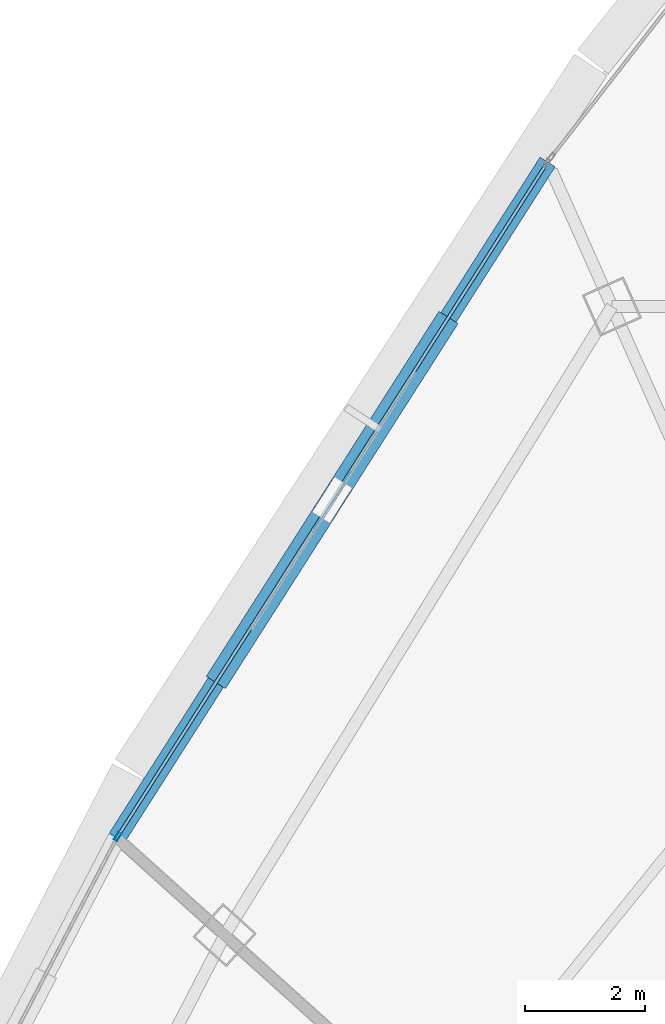
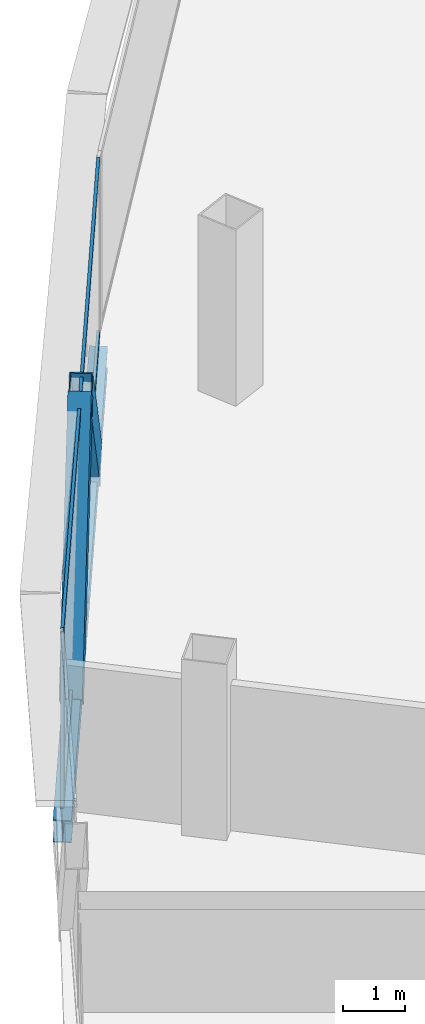
# One storey, part 20 of 40: 5 members, 1 beam, 1 element without a shape of its own.
"""IFC4 building model written with IfcOpenShell, lengths in metres."""

from ifc_helpers import new_model, si_unit, direction, frame, origin, origin_2d, place, context, subcontext, project, spatial, hollow_rectangle, i_section, extrude, source, transform, mapped, material, layer, layer_set, material_profile, profile_set, type_object, element, aggregate, save


model = new_model("IFC4")

# Units and contexts
model_context = context("Model", 3, precision=1e-05, world=origin(), true_north=direction((0.0, 1.0)))
body_context = subcontext(model_context, "Body", "Model", "MODEL_VIEW")
ifc_project = project(units=[si_unit("LENGTHUNIT", "METRE"), si_unit("AREAUNIT", "SQUARE_METRE"), si_unit("VOLUMEUNIT", "CUBIC_METRE"), si_unit("PLANEANGLEUNIT", "RADIAN"), si_unit("MASSUNIT", "GRAM", prefix="KILO"), si_unit("THERMODYNAMICTEMPERATUREUNIT", "KELVIN"), si_unit("POWERUNIT", "WATT")], contexts=[model_context])

# Site, building, storey
site_placement = place(None, origin())
site = spatial("IfcSite", under=ifc_project, at=site_placement, CompositionType="ELEMENT")
building_placement = place(site_placement, origin())
building = spatial("IfcBuilding", under=site, at=building_placement, Name="Yunzhuo Pagoda Commons", CompositionType="ELEMENT")
storey_placement = place(building_placement, frame((0.0, 0.0, 292.47998046875)))
storey = spatial("IfcBuildingStorey", under=building, at=storey_placement, Name="L73", CompositionType="ELEMENT", Elevation=292.47998046875)

# Beam
ifc_material_1 = material(Name="Structural steel Q355B", Category="steel")
ifc_material_profile_1 = material_profile(ifc_material_1, i_section(OverallWidth=0.300048828125, OverallDepth=0.43994140625, WebThickness=0.010986328125, FlangeThickness=0.01806640625, at=origin_2d()), Name="Structural steel Q355B")
ifc_profile_set_1 = profile_set([ifc_material_profile_1], Name="Structural steel Q355B")
beam_type = type_object("IfcBeamType", Name="B-SP2 Beam HM 440x300x11x18", PredefinedType="BEAM", material=ifc_profile_set_1)
shared_shape_1 = source(origin(), body_context, "Body", "SweptSolid", [
    extrude(i_section(OverallWidth=0.300048828125, OverallDepth=0.43994140625, WebThickness=0.010986328125, FlangeThickness=0.01806640625, at=origin_2d()), origin(), (0.0, 0.0, 1.0), 13.37060546875),
])
beam_placement = place(storey_placement, frame((34.8125, 63.319580078125, -0.47998046875), z_axis=(-0.537394066708, -0.843331261763, 0.0), x_axis=(0.843331261763, -0.537394066708, 0.0)))
element("IfcBeam", 1, at=beam_placement, inside=storey, type_object=beam_type, Name="L73 facade edge spandrel beam F3.1", PredefinedType="BEAM", context=body_context, shape_type="MappedRepresentation", body=[
    mapped(shared_shape_1, transform((0.0, 0.0, 0.0), scale=1.0)),
])

# Members
ifc_material_profile_2 = material_profile(ifc_material_1, hollow_rectangle(XDim=0.3798828125, YDim=0.719970703125, WallThickness=0.02001953125, at=origin_2d()), Name="Structural steel Q355B")
ifc_profile_set_2 = profile_set([ifc_material_profile_2], Name="Structural steel Q355B")
member_type_1 = type_object("IfcMemberType", Name="M-DL3 Brace BOX 720x380x20", PredefinedType="BRACE", material=ifc_profile_set_2)
shared_shape_2 = source(origin(), body_context, "Body", "SweptSolid", [
    extrude(hollow_rectangle(XDim=0.3798828125, YDim=0.719970703125, WallThickness=0.02001953125, at=origin_2d()), origin(), (0.0, 0.0, 1.0), 5.008544921875),
])
for number, where, z_axis, x_axis, name in (
    (2, (33.01611328125, 60.500732421875, -0.260009765625), (-0.358611081243, -0.562849280292, 0.744713891427), (0.843366631896, -0.537338556409, 0.0), "L73 facade diamond brace F3.1L"),
    (3, (29.423583984375, 54.86279296875, -0.260009765625), (0.358663395256, 0.562806137759, 0.744721303713), (-0.843312439259, 0.537423603678, 0.0), "L73 facade diamond brace F3.1R"),
):
    element("IfcMember", number, at=place(storey_placement, frame(where, z_axis=z_axis, x_axis=x_axis)), inside=storey, type_object=member_type_1, Name=name, PredefinedType="BRACE", context=body_context, shape_type="MappedRepresentation", body=[
        mapped(shared_shape_2, transform((0.0, 0.0, 0.0), scale=1.0)),
    ])

# Curtain wall, members
ifc_material_2 = material(Name="Anodized aluminium 6063-T6", Category="aluminium")
ifc_layer = layer(ifc_material_2, 0.139892578125)
ifc_layer_set = layer_set([ifc_layer], Name="Anodized aluminium 6063-T6")
curtain_wall_type = type_object("IfcCurtainWallType", Name="CW-HI High-Zone Ribbon Curtain Wall", PredefinedType="NOTDEFINED", material=ifc_layer_set)
curtain_wall_placement = place(storey_placement, origin())
curtain_wall = element("IfcCurtainWall", 4, at=curtain_wall_placement, inside=storey, type_object=curtain_wall_type, Name="L73 curtain wall CW-L73-F3B2", PredefinedType="NOTDEFINED")
ifc_material_profile_3 = material_profile(ifc_material_2, hollow_rectangle(XDim=0.06005859375, YDim=0.139892578125, WallThickness=0.00341796875, at=origin_2d()), Name="Anodized aluminium 6063-T6")
ifc_profile_set_3 = profile_set([ifc_material_profile_3], Name="Anodized aluminium 6063-T6")
member_type_2 = type_object("IfcMemberType", Name="CW-HI-M Mullion RHS 140x60x3.5", PredefinedType="MULLION", material=ifc_profile_set_3)
shared_shape_3 = source(origin(), body_context, "Body", "SweptSolid", [
    extrude(hollow_rectangle(XDim=0.06005859375, YDim=0.139892578125, WallThickness=0.00341796875, at=origin_2d()), origin(), (0.0, 0.0, 1.0), 3.4697265625),
])
member_1_placement = place(storey_placement, frame((27.6435546875, 52.069091796875, 0.000244140625), z_axis=(0.0, 0.0, 1.0), x_axis=(0.84332965014, -0.537396595816, 0.0)))
member_1 = element("IfcMember", 5, at=member_1_placement, type_object=member_type_2, Name="CW mullion 2", PredefinedType="MULLION", context=body_context, shape_type="MappedRepresentation", body=[
    mapped(shared_shape_3, transform((0.0, 0.0, 0.0), scale=1.0)),
])
ifc_material_profile_4 = material_profile(ifc_material_2, hollow_rectangle(XDim=0.054931640625, YDim=0.1201171875, WallThickness=0.00341796875, at=origin_2d()), Name="Anodized aluminium 6063-T6")
ifc_profile_set_4 = profile_set([ifc_material_profile_4], Name="Anodized aluminium 6063-T6")
member_type_3 = type_object("IfcMemberType", Name="CW-HI-T Transom RHS 120x55x3.5", PredefinedType="USERDEFINED", material=ifc_profile_set_4)
shared_shape_4 = source(origin(), body_context, "Body", "SweptSolid", [
    extrude(hollow_rectangle(XDim=0.054931640625, YDim=0.1201171875, WallThickness=0.00341796875, at=origin_2d()), origin(), (0.0, 0.0, 1.0), 13.25048828125),
])
member_2_placement = place(storey_placement, frame((34.7802734375, 63.26904296875, 0.027587890625), z_axis=(-0.537399957032, -0.843327508256, 0.0), x_axis=(0.843327508256, -0.537399957032, 0.0)))
member_2 = element("IfcMember", 6, at=member_2_placement, type_object=member_type_3, Name="CW transom 1.1", ObjectType="TRANSOM", PredefinedType="USERDEFINED", context=body_context, shape_type="MappedRepresentation", body=[
    mapped(shared_shape_4, transform((0.0, 0.0, 0.0), scale=1.0)),
])
member_3_placement = place(storey_placement, frame((34.7802734375, 63.26904296875, 3.442626953125), z_axis=(-0.537399957032, -0.843327508256, 0.0), x_axis=(0.843327508256, -0.537399957032, 0.0)))
member_3 = element("IfcMember", 7, at=member_3_placement, type_object=member_type_3, Name="CW transom 1.2", ObjectType="TRANSOM", PredefinedType="USERDEFINED", context=body_context, shape_type="MappedRepresentation", body=[
    mapped(shared_shape_4, transform((0.0, 0.0, 0.0), scale=1.0)),
])
aggregate(curtain_wall, [member_1, member_2, member_3])

save(model, "model.ifc")
